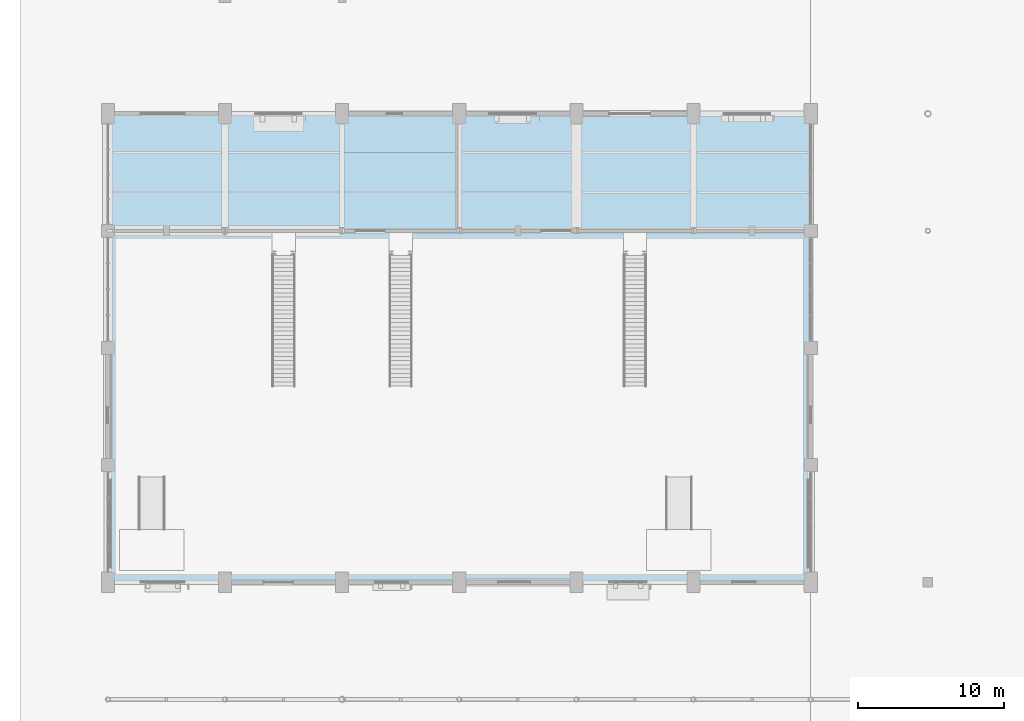
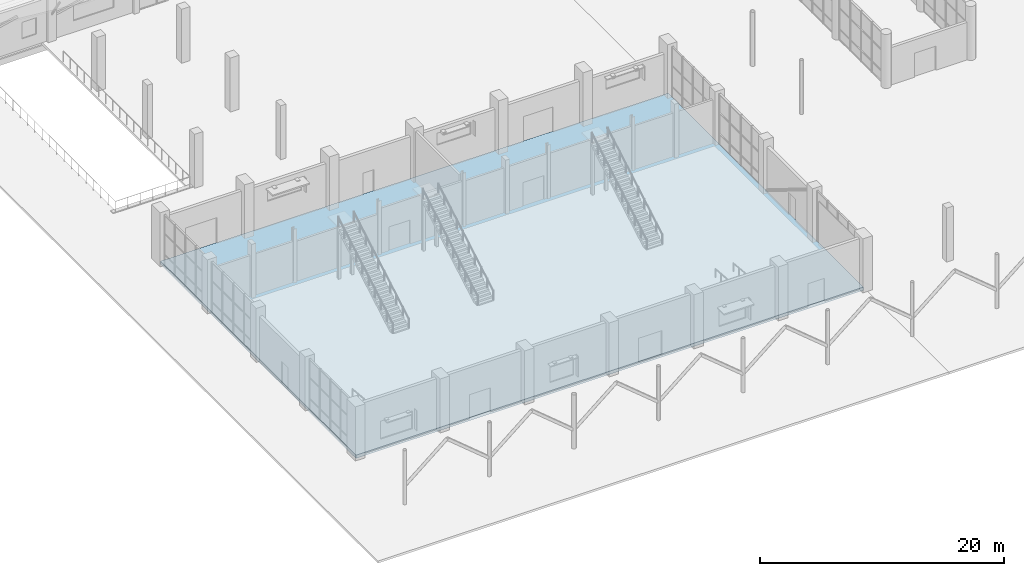
# One storey, part 66 of 123: 1 slab.
"""IFC4 building model written with IfcOpenShell, lengths in metres."""

from ifc_helpers import new_model, si_unit, direction, frame, origin, place, context, subcontext, project, spatial, polyline, outline, extrude, material, layer, layer_set, type_object, element, save


model = new_model("IFC4")

# Units and contexts
model_context = context("Model", 3, precision=1e-05, world=origin(), true_north=direction((0.0, 1.0)))
body_context = subcontext(model_context, "Body", "Model", "MODEL_VIEW")
ifc_project = project(units=[si_unit("LENGTHUNIT", "METRE"), si_unit("AREAUNIT", "SQUARE_METRE"), si_unit("VOLUMEUNIT", "CUBIC_METRE"), si_unit("PLANEANGLEUNIT", "RADIAN"), si_unit("MASSUNIT", "GRAM", prefix="KILO")], contexts=[model_context])

# Site, building, storey
site_placement = place(None, origin())
site = spatial("IfcSite", under=ifc_project, at=site_placement, CompositionType="ELEMENT")
building_placement = place(site_placement, origin())
building = spatial("IfcBuilding", under=site, at=building_placement, Name="Tenunan Teduh Sports Hall", CompositionType="ELEMENT")
storey_placement = place(building_placement, origin())
storey = spatial("IfcBuildingStorey", under=building, at=storey_placement, Name="L00", CompositionType="ELEMENT", Elevation=0.0)

# Slab
ifc_material = material(Name="Concrete C40/50", Category="concrete")
ifc_layer = layer(ifc_material, 0.320068359375)
ifc_layer_set = layer_set([ifc_layer], Name="Concrete C40/50")
slab_type = type_object("IfcSlabType", Name="SLB-COURT-320", PredefinedType="FLOOR", material=ifc_layer_set)
slab_placement = place(storey_placement, frame((0.0, 0.0, -0.320068359375)))
element("IfcSlab", 1, at=slab_placement, inside=storey, type_object=slab_type, Name="SL-L00-V2", PredefinedType="FLOOR", context=body_context, shape_type="SweptSolid", body=[
    extrude(outline(polyline([(6.0, 14.0), (54.0, 14.0), (54.0, 46.0), (6.0, 46.0), (6.0, 14.0)])), origin(), (0.0, 0.0, 1.0), 0.320068359375),
])

save(model, "model.ifc")
